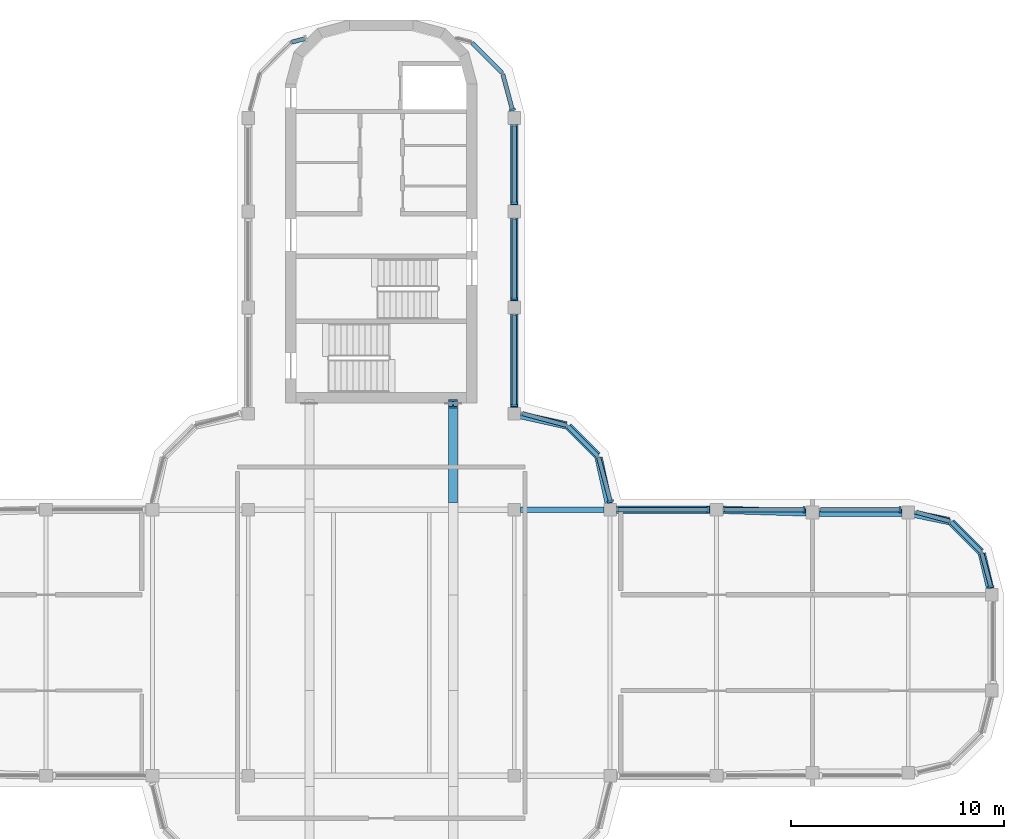
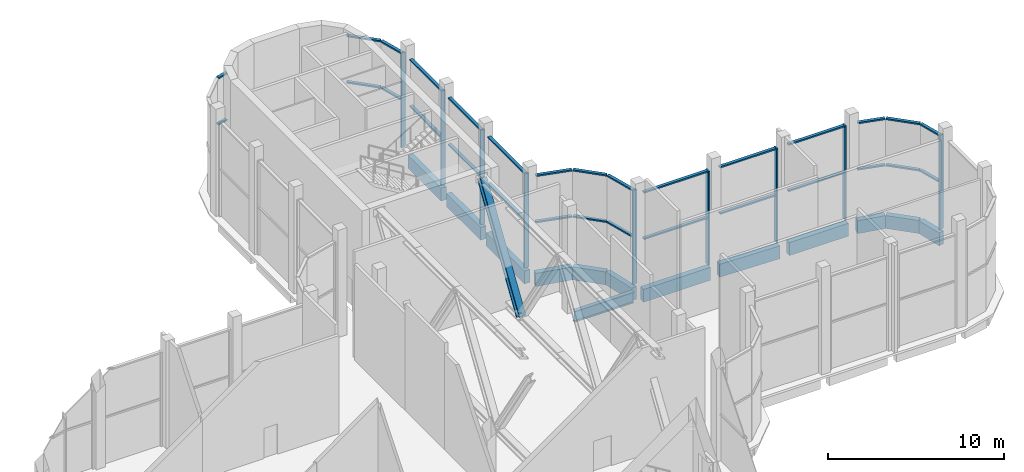
# One storey, part 6 of 15: 40 members, 13 beams, 11 elements without a shape of their own.
"""IFC4 building model written with IfcOpenShell, lengths in metres."""

from ifc_helpers import new_model, si_unit, direction, frame, origin, origin_2d, place, context, subcontext, project, spatial, polyline, rectangle, i_section, outline, extrude, source, transform, mapped, material, material_profile, profile_set, type_object, element, aggregate, save


model = new_model("IFC4")

# Units and contexts
model_context = context("Model", 3, precision=1e-05, world=origin(), true_north=direction((0.0, 1.0)))
body_context = subcontext(model_context, "Body", "Model", "MODEL_VIEW")
ifc_project = project(units=[si_unit("LENGTHUNIT", "METRE"), si_unit("AREAUNIT", "SQUARE_METRE"), si_unit("VOLUMEUNIT", "CUBIC_METRE"), si_unit("PLANEANGLEUNIT", "RADIAN"), si_unit("MASSUNIT", "GRAM", prefix="KILO")], contexts=[model_context])

# Site, building, storey
site_placement = place(None, origin())
site = spatial("IfcSite", under=ifc_project, at=site_placement, CompositionType="ELEMENT")
building_placement = place(site_placement, origin())
building = spatial("IfcBuilding", under=site, at=building_placement, Name="Zarbagh Exchange Tower", CompositionType="ELEMENT")
storey_placement = place(building_placement, frame((0.0, 0.0, 284.0)))
storey = spatial("IfcBuildingStorey", under=building, at=storey_placement, Name="L70", CompositionType="ELEMENT", Elevation=284.0)

# Beams
ifc_material_1 = material(Name="Steel ASTM A992 Gr 50", Category="steel")
ifc_material_profile_1 = material_profile(ifc_material_1, i_section(OverallWidth=0.26416015625, OverallDepth=0.749267578125, WebThickness=0.011962890625, FlangeThickness=0.015380859375, at=origin_2d()), Name="W30X90")
ifc_profile_set_1 = profile_set([ifc_material_profile_1], Name="Steel ASTM A992 Gr 50")
beam_type_1 = type_object("IfcBeamType", Name="Floor girder W30X90", PredefinedType="BEAM", material=ifc_profile_set_1)
beam_1_placement = place(storey_placement, frame((6.550048828125, 6.25, -0.524658203125), z_axis=(1.0, 0.0, 0.0), x_axis=(0.0, 1.0, 0.0)))
element("IfcBeam", 1, at=beam_1_placement, inside=storey, type_object=beam_type_1, Name="Steel girder", PredefinedType="BEAM", context=body_context, shape_type="SweptSolid", body=[
    extrude(i_section(OverallWidth=0.26416015625, OverallDepth=0.749267578125, WebThickness=0.011962890625, FlangeThickness=0.015380859375, at=origin_2d()), origin(), (0.0, 0.0, 1.0), 3.89990234375),
])
ifc_material_2 = material(Name="Concrete C40/50", Category="concrete")
ifc_material_profile_2 = material_profile(ifc_material_2, rectangle(XDim=0.35009765625, YDim=0.89990234375, at=origin_2d()), Name="RC spandrel beam 350 x 900 C40/50")
ifc_profile_set_2 = profile_set([ifc_material_profile_2], Name="Concrete C40/50")
beam_type_2 = type_object("IfcBeamType", Name="RC spandrel beam 350 x 900 C40/50", PredefinedType="SPANDREL", material=ifc_profile_set_2)
beam_2_placement = place(storey_placement, frame((6.25, 24.35009765625, -0.60009765625), z_axis=(0.0, -1.0, 0.0), x_axis=(1.0, 0.0, 0.0)))
element("IfcBeam", 2, at=beam_2_placement, inside=storey, type_object=beam_type_2, Name="RC spandrel beam", PredefinedType="SPANDREL", context=body_context, shape_type="SweptSolid", body=[
    extrude(rectangle(XDim=0.35009765625, YDim=0.89990234375, at=origin_2d()), origin(), (0.0, 0.0, 1.0), 3.800048828125),
])
beam_3_placement = place(storey_placement, frame((6.25, 19.949951171875, -0.60009765625), z_axis=(0.0, -1.0, 0.0), x_axis=(1.0, 0.0, 0.0)))
element("IfcBeam", 3, at=beam_3_placement, inside=storey, type_object=beam_type_2, Name="RC spandrel beam", PredefinedType="SPANDREL", context=body_context, shape_type="SweptSolid", body=[
    extrude(rectangle(XDim=0.35009765625, YDim=0.89990234375, at=origin_2d()), origin(), (0.0, 0.0, 1.0), 3.89990234375),
])
beam_4_placement = place(storey_placement, frame((6.25, 15.449951171875, -0.60009765625), z_axis=(0.0, -1.0, 0.0), x_axis=(1.0, 0.0, 0.0)))
element("IfcBeam", 4, at=beam_4_placement, inside=storey, type_object=beam_type_2, Name="RC spandrel beam", PredefinedType="SPANDREL", context=body_context, shape_type="SweptSolid", body=[
    extrude(rectangle(XDim=0.35009765625, YDim=0.89990234375, at=origin_2d()), origin(), (0.0, 0.0, 1.0), 4.39990234375),
])
beam_5_placement = place(storey_placement, frame((6.54296875, 10.685302734375, -0.60009765625), z_axis=(0.976387662047, -0.216025770228, 0.0), x_axis=(0.216025770228, 0.976387662047, 0.0)))
element("IfcBeam", 5, at=beam_5_placement, inside=storey, type_object=beam_type_2, Name="RC spandrel beam", PredefinedType="SPANDREL", context=body_context, shape_type="SweptSolid", body=[
    extrude(rectangle(XDim=0.35009765625, YDim=0.89990234375, at=origin_2d()), origin(), (0.0, 0.0, 1.0), 2.200439453125),
])
beam_6_placement = place(storey_placement, frame((8.77734375, 10.16259765625, -0.60009765625), z_axis=(0.707106781187, -0.707106781187, 0.0), x_axis=(0.707106781187, 0.707106781187, 0.0)))
element("IfcBeam", 6, at=beam_6_placement, inside=storey, type_object=beam_type_2, Name="RC spandrel beam", PredefinedType="SPANDREL", context=body_context, shape_type="SweptSolid", body=[
    extrude(rectangle(XDim=0.35009765625, YDim=0.89990234375, at=origin_2d()), origin(), (0.0, 0.0, 1.0), 1.958984375),
])
beam_7_placement = place(storey_placement, frame((10.2099609375, 8.69140625, -0.60009765625), z_axis=(0.216025770228, -0.976387662047, 0.0), x_axis=(0.976387662047, 0.216025770228, 0.0)))
element("IfcBeam", 7, at=beam_7_placement, inside=storey, type_object=beam_type_2, Name="RC spandrel beam", PredefinedType="SPANDREL", context=body_context, shape_type="SweptSolid", body=[
    extrude(rectangle(XDim=0.35009765625, YDim=0.89990234375, at=origin_2d()), origin(), (0.0, 0.0, 1.0), 2.200439453125),
])
beam_8_placement = place(storey_placement, frame((11.050048828125, 6.25, -0.60009765625), z_axis=(1.0, 0.0, 0.0), x_axis=(0.0, 1.0, 0.0)))
element("IfcBeam", 8, at=beam_8_placement, inside=storey, type_object=beam_type_2, Name="RC spandrel beam", PredefinedType="SPANDREL", context=body_context, shape_type="SweptSolid", body=[
    extrude(rectangle(XDim=0.35009765625, YDim=0.89990234375, at=origin_2d()), origin(), (0.0, 0.0, 1.0), 4.39990234375),
])
beam_9_placement = place(storey_placement, frame((16.0498046875, 6.24072265625, -0.60009765625), z_axis=(0.999516460907, -0.031094121249, 0.0), x_axis=(0.031094121249, 0.999516460907, 0.0)))
element("IfcBeam", 9, at=beam_9_placement, inside=storey, type_object=beam_type_2, Name="RC spandrel beam", PredefinedType="SPANDREL", context=body_context, shape_type="SweptSolid", body=[
    extrude(rectangle(XDim=0.35009765625, YDim=0.89990234375, at=origin_2d()), origin(), (0.0, 0.0, 1.0), 3.90234375),
])
beam_10_placement = place(storey_placement, frame((20.550048828125, 6.110107421875, -0.60009765625), z_axis=(1.0, 0.0, 0.0), x_axis=(0.0, 1.0, 0.0)))
element("IfcBeam", 10, at=beam_10_placement, inside=storey, type_object=beam_type_2, Name="RC spandrel beam", PredefinedType="SPANDREL", context=body_context, shape_type="SweptSolid", body=[
    extrude(rectangle(XDim=0.35009765625, YDim=0.89990234375, at=origin_2d()), origin(), (0.0, 0.0, 1.0), 3.89990234375),
])
beam_11_placement = place(storey_placement, frame((25.043701171875, 6.04931640625, -0.60009765625), z_axis=(0.979349753205, -0.202173343684, 0.0), x_axis=(0.202173343684, 0.979349753205, 0.0)))
element("IfcBeam", 11, at=beam_11_placement, inside=storey, type_object=beam_type_2, Name="RC spandrel beam", PredefinedType="SPANDREL", context=body_context, shape_type="SweptSolid", body=[
    extrude(rectangle(XDim=0.35009765625, YDim=0.89990234375, at=origin_2d()), origin(), (0.0, 0.0, 1.0), 1.680908203125),
])
beam_12_placement = place(storey_placement, frame((26.7783203125, 5.661865234375, -0.60009765625), z_axis=(0.707106781187, -0.707106781187, 0.0), x_axis=(0.707106781187, 0.707106781187, 0.0)))
element("IfcBeam", 12, at=beam_12_placement, inside=storey, type_object=beam_type_2, Name="RC spandrel beam", PredefinedType="SPANDREL", context=body_context, shape_type="SweptSolid", body=[
    extrude(rectangle(XDim=0.35009765625, YDim=0.89990234375, at=origin_2d()), origin(), (0.0, 0.0, 1.0), 1.95947265625),
])
beam_13_placement = place(storey_placement, frame((28.210205078125, 4.19287109375, -0.60009765625), z_axis=(0.230258391117, -0.973129525459, 0.0), x_axis=(0.973129525459, 0.230258391117, 0.0)))
element("IfcBeam", 13, at=beam_13_placement, inside=storey, type_object=beam_type_2, Name="RC spandrel beam", PredefinedType="SPANDREL", context=body_context, shape_type="SweptSolid", body=[
    extrude(rectangle(XDim=0.35009765625, YDim=0.89990234375, at=origin_2d()), origin(), (0.0, 0.0, 1.0), 1.696533203125),
])

# Member
ifc_material_profile_3 = material_profile(ifc_material_1, i_section(OverallWidth=0.421630859375, OverallDepth=0.46484375, WebThickness=0.044921875, FlangeThickness=0.072509765625, at=origin_2d()), Name="W14X398")
ifc_profile_set_3 = profile_set([ifc_material_profile_3], Name="Steel ASTM A992 Gr 50")
member_type_1 = type_object("IfcMemberType", Name="Tuned mass damper support truss diagonal W14X398", PredefinedType="BRACE", material=ifc_profile_set_3)
member_1_placement = place(storey_placement, frame((3.375, 6.75, 0.256591796875), z_axis=(0.0, 0.541654417489, 0.840601268149), x_axis=(-1.0, 0.0, 0.0)))
element("IfcMember", 14, at=member_1_placement, inside=storey, type_object=member_type_1, Name="Tuned mass damper support truss diagonal", PredefinedType="BRACE", context=body_context, shape_type="SweptSolid", body=[
    extrude(i_section(OverallWidth=0.421630859375, OverallDepth=0.46484375, WebThickness=0.044921875, FlangeThickness=0.072509765625, at=origin_2d()), origin(), (0.0, 0.0, 1.0), 8.25244140625),
])

# Curtain wall, member
ifc_material_3 = material(Name="Anodised aluminium frame and glazing", Category="aluminium")
curtain_wall_type = type_object("IfcCurtainWallType", Name="CWE Damper-floor glazed wall", PredefinedType="NOTDEFINED", material=ifc_material_3)
curtain_wall_1_placement = place(storey_placement, origin())
curtain_wall_1 = element("IfcCurtainWall", 15, at=curtain_wall_1_placement, inside=storey, type_object=curtain_wall_type, Name="CWE13 curtain wall", PredefinedType="NOTDEFINED")
ifc_material_4 = material(Name="Anodised aluminium frame", Category="aluminium")
member_type_2 = type_object("IfcMemberType", Name="MUE Mullion, anodised aluminium frame", PredefinedType="MULLION", material=ifc_material_4)
shared_shape_1 = source(origin(), body_context, "Body", "SweptSolid", [
    extrude(outline(polyline([(0.0, -0.14990234375), (0.10009765625, -0.14990234375), (0.10009765625, 0.14990234375), (0.0, 0.14990234375), (0.0, -0.14990234375)])), origin(), (0.0, 0.0, 1.0), 6.550048828125),
])
placement = place(storey_placement, origin())
member_2 = element("IfcMember", 16, at=placement, type_object=member_type_2, Name="CWE13 mullion 1.1", PredefinedType="MULLION", context=body_context, shape_type="MappedRepresentation", body=[
    mapped(shared_shape_1, transform((28.641357421875, 2.58984375, 0.0), x_axis=(-0.258824779902, 0.965924289636, 0.0), y_axis=(-0.965924289636, -0.258824779902, 0.0), z_axis=(0.0, 0.0, 1.0))),
])

# Curtain wall, members
curtain_wall_2_placement = place(storey_placement, origin())
curtain_wall_2 = element("IfcCurtainWall", 17, at=curtain_wall_2_placement, inside=storey, type_object=curtain_wall_type, Name="CWE16 curtain wall", PredefinedType="NOTDEFINED")
member_3 = element("IfcMember", 18, at=placement, type_object=member_type_2, Name="CWE16 mullion 1.1", PredefinedType="MULLION", context=body_context, shape_type="MappedRepresentation", body=[
    mapped(shared_shape_1, transform((24.409912109375, 6.25, 0.0), x_axis=(-1.0, 0.0, 0.0), y_axis=(0.0, -1.0, 0.0), z_axis=(0.0, 0.0, 1.0))),
])
member_4 = element("IfcMember", 19, at=placement, type_object=member_type_2, Name="CWE16 mullion 2.1", PredefinedType="MULLION", context=body_context, shape_type="MappedRepresentation", body=[
    mapped(shared_shape_1, transform((19.909912109375, 6.25, 0.0), x_axis=(-1.0, 0.0, 0.0), y_axis=(0.0, -1.0, 0.0), z_axis=(0.0, 0.0, 1.0))),
])
member_5 = element("IfcMember", 20, at=placement, type_object=member_type_2, Name="CWE16 mullion 3.1", PredefinedType="MULLION", context=body_context, shape_type="MappedRepresentation", body=[
    mapped(shared_shape_1, transform((15.409912109375, 6.25, 0.0), x_axis=(-1.0, 0.0, 0.0), y_axis=(0.0, -1.0, 0.0), z_axis=(0.0, 0.0, 1.0))),
])

# Curtain wall, member
curtain_wall_3_placement = place(storey_placement, origin())
curtain_wall_3 = element("IfcCurtainWall", 21, at=curtain_wall_3_placement, inside=storey, type_object=curtain_wall_type, Name="CWE17 curtain wall", PredefinedType="NOTDEFINED")
member_6 = element("IfcMember", 22, at=placement, type_object=member_type_2, Name="CWE17 mullion 1.1", PredefinedType="MULLION", context=body_context, shape_type="MappedRepresentation", body=[
    mapped(shared_shape_1, transform((10.775146484375, 6.590087890625, 0.0), x_axis=(-0.258824779902, 0.965924289636, 0.0), y_axis=(-0.965924289636, -0.258824779902, 0.0), z_axis=(0.0, 0.0, 1.0))),
])

# Curtain wall, members
curtain_wall_4_placement = place(storey_placement, origin())
curtain_wall_4 = element("IfcCurtainWall", 23, at=curtain_wall_4_placement, inside=storey, type_object=curtain_wall_type, Name="CWE20 curtain wall", PredefinedType="NOTDEFINED")
member_7 = element("IfcMember", 24, at=placement, type_object=member_type_2, Name="CWE20 mullion 1.1", PredefinedType="MULLION", context=body_context, shape_type="MappedRepresentation", body=[
    mapped(shared_shape_1, transform((6.25, 11.090087890625, 0.0), x_axis=(0.0, 1.0, 0.0), y_axis=(-1.0, 0.0, 0.0), z_axis=(0.0, 0.0, 1.0))),
])
member_8 = element("IfcMember", 25, at=placement, type_object=member_type_2, Name="CWE20 mullion 2.1", PredefinedType="MULLION", context=body_context, shape_type="MappedRepresentation", body=[
    mapped(shared_shape_1, transform((6.25, 16.090087890625, 0.0), x_axis=(0.0, 1.0, 0.0), y_axis=(-1.0, 0.0, 0.0), z_axis=(0.0, 0.0, 1.0))),
])
member_9 = element("IfcMember", 26, at=placement, type_object=member_type_2, Name="CWE20 mullion 3.1", PredefinedType="MULLION", context=body_context, shape_type="MappedRepresentation", body=[
    mapped(shared_shape_1, transform((6.25, 20.590087890625, 0.0), x_axis=(0.0, 1.0, 0.0), y_axis=(-1.0, 0.0, 0.0), z_axis=(0.0, 0.0, 1.0))),
])

# Curtain wall, member
curtain_wall_5_placement = place(storey_placement, origin())
curtain_wall_5 = element("IfcCurtainWall", 27, at=curtain_wall_5_placement, inside=storey, type_object=curtain_wall_type, Name="CWE21 curtain wall", PredefinedType="NOTDEFINED")
member_10 = element("IfcMember", 28, at=placement, type_object=member_type_2, Name="CWE21 mullion 1.1", PredefinedType="MULLION", context=body_context, shape_type="MappedRepresentation", body=[
    mapped(shared_shape_1, transform((6.16796875, 24.989990234375, 0.0), x_axis=(-0.258824779902, 0.965924289636, 0.0), y_axis=(-0.965924289636, -0.258824779902, 0.0), z_axis=(0.0, 0.0, 1.0))),
])

curtain_wall_6_placement = place(storey_placement, origin())
curtain_wall_6 = element("IfcCurtainWall", 29, at=curtain_wall_6_placement, inside=storey, type_object=curtain_wall_type, Name="CWE14 curtain wall", PredefinedType="NOTDEFINED")
member_type_3 = type_object("IfcMemberType", Name="TRE Transom, anodised aluminium frame", PredefinedType="USERDEFINED", material=ifc_material_4)
shared_shape_2 = source(origin(), body_context, "Body", "SweptSolid", [
    extrude(outline(polyline([(-0.10009765625, -0.10009765625), (0.0, -0.10009765625), (0.0, 0.10009765625), (-0.10009765625, 0.10009765625), (-0.10009765625, -0.10009765625)])), origin(), (0.0, 0.0, 1.0), 1.9814453125),
])
member_11 = element("IfcMember", 30, at=placement, type_object=member_type_3, Name="CWE14 transom 1.1", ObjectType="TRANSOM", PredefinedType="USERDEFINED", context=body_context, shape_type="MappedRepresentation", body=[
    mapped(shared_shape_2, transform((28.17041015625, 4.26953125, 6.550048828125), x_axis=(0.0, 0.0, 1.0), y_axis=(0.707106781187, 0.707106781187, 0.0), z_axis=(-0.707106781187, 0.707106781187, 0.0))),
])

curtain_wall_7_placement = place(storey_placement, origin())
curtain_wall_7 = element("IfcCurtainWall", 31, at=curtain_wall_7_placement, inside=storey, type_object=curtain_wall_type, Name="CWE18 curtain wall", PredefinedType="NOTDEFINED")
member_12 = element("IfcMember", 32, at=placement, type_object=member_type_3, Name="CWE18 transom 1.1", ObjectType="TRANSOM", PredefinedType="USERDEFINED", context=body_context, shape_type="MappedRepresentation", body=[
    mapped(shared_shape_2, transform((10.17041015625, 8.76953125, 6.550048828125), x_axis=(0.0, 0.0, 1.0), y_axis=(0.707106781187, 0.707106781187, 0.0), z_axis=(-0.707106781187, 0.707106781187, 0.0))),
])

curtain_wall_8_placement = place(storey_placement, origin())
curtain_wall_8 = element("IfcCurtainWall", 33, at=curtain_wall_8_placement, inside=storey, type_object=curtain_wall_type, Name="CWE22 curtain wall", PredefinedType="NOTDEFINED")
member_13 = element("IfcMember", 34, at=placement, type_object=member_type_3, Name="CWE22 transom 1.1", ObjectType="TRANSOM", PredefinedType="USERDEFINED", context=body_context, shape_type="MappedRepresentation", body=[
    mapped(shared_shape_2, transform((5.67041015625, 26.76953125, 6.550048828125), x_axis=(0.0, 0.0, 1.0), y_axis=(0.707106781187, 0.707106781187, 0.0), z_axis=(-0.707106781187, 0.707106781187, 0.0))),
])

# Member
shared_shape_3 = source(origin(), body_context, "Body", "SweptSolid", [
    extrude(outline(polyline([(-0.050048828125, -0.10009765625), (0.050048828125, -0.10009765625), (0.050048828125, 0.10009765625), (-0.050048828125, 0.10009765625), (-0.050048828125, -0.10009765625)])), origin(), (0.0, 0.0, 1.0), 1.9814453125),
])
member_14 = element("IfcMember", 35, at=placement, type_object=member_type_3, Name="CWE14 mid transom 1", ObjectType="TRANSOM", PredefinedType="USERDEFINED", context=body_context, shape_type="MappedRepresentation", body=[
    mapped(shared_shape_3, transform((28.17041015625, 4.26953125, 3.27490234375), x_axis=(0.0, 0.0, 1.0), y_axis=(0.707106781187, 0.707106781187, 0.0), z_axis=(-0.707106781187, 0.707106781187, 0.0))),
])

aggregate(curtain_wall_6, [member_11, member_14])

member_15 = element("IfcMember", 36, at=placement, type_object=member_type_3, Name="CWE18 mid transom 1", ObjectType="TRANSOM", PredefinedType="USERDEFINED", context=body_context, shape_type="MappedRepresentation", body=[
    mapped(shared_shape_3, transform((10.17041015625, 8.76953125, 3.27490234375), x_axis=(0.0, 0.0, 1.0), y_axis=(0.707106781187, 0.707106781187, 0.0), z_axis=(-0.707106781187, 0.707106781187, 0.0))),
])

aggregate(curtain_wall_7, [member_12, member_15])

member_16 = element("IfcMember", 37, at=placement, type_object=member_type_3, Name="CWE22 mid transom 1", ObjectType="TRANSOM", PredefinedType="USERDEFINED", context=body_context, shape_type="MappedRepresentation", body=[
    mapped(shared_shape_3, transform((5.67041015625, 26.76953125, 3.27490234375), x_axis=(0.0, 0.0, 1.0), y_axis=(0.707106781187, 0.707106781187, 0.0), z_axis=(-0.707106781187, 0.707106781187, 0.0))),
])

aggregate(curtain_wall_8, [member_13, member_16])

shared_shape_4 = source(origin(), body_context, "Body", "SweptSolid", [
    extrude(outline(polyline([(-0.10009765625, -0.10009765625), (0.0, -0.10009765625), (0.0, 0.10009765625), (-0.10009765625, 0.10009765625), (-0.10009765625, -0.10009765625)])), origin(), (0.0, 0.0, 1.0), 1.73291015625),
])
member_17 = element("IfcMember", 38, at=placement, type_object=member_type_3, Name="CWE21 transom 1.1", ObjectType="TRANSOM", PredefinedType="USERDEFINED", context=body_context, shape_type="MappedRepresentation", body=[
    mapped(shared_shape_4, transform((6.15771484375, 25.028564453125, 6.550048828125), x_axis=(0.0, 0.0, 1.0), y_axis=(0.965924289636, 0.258824779902, 0.0), z_axis=(-0.258824779902, 0.965924289636, 0.0))),
])

shared_shape_5 = source(origin(), body_context, "Body", "SweptSolid", [
    extrude(outline(polyline([(-0.050048828125, -0.10009765625), (0.050048828125, -0.10009765625), (0.050048828125, 0.10009765625), (-0.050048828125, 0.10009765625), (-0.050048828125, -0.10009765625)])), origin(), (0.0, 0.0, 1.0), 1.73291015625),
])
member_18 = element("IfcMember", 39, at=placement, type_object=member_type_3, Name="CWE21 mid transom 1", ObjectType="TRANSOM", PredefinedType="USERDEFINED", context=body_context, shape_type="MappedRepresentation", body=[
    mapped(shared_shape_5, transform((6.15771484375, 25.028564453125, 3.27490234375), x_axis=(0.0, 0.0, 1.0), y_axis=(0.965924289636, 0.258824779902, 0.0), z_axis=(-0.258824779902, 0.965924289636, 0.0))),
])

aggregate(curtain_wall_5, [member_10, member_17, member_18])

shared_shape_6 = source(origin(), body_context, "Body", "SweptSolid", [
    extrude(outline(polyline([(-0.10009765625, -0.10009765625), (0.0, -0.10009765625), (0.0, 0.10009765625), (-0.10009765625, 0.10009765625), (-0.10009765625, -0.10009765625)])), origin(), (0.0, 0.0, 1.0), 3.639892578125),
])
member_19 = element("IfcMember", 40, at=placement, type_object=member_type_3, Name="CWE20 transom 3.1", ObjectType="TRANSOM", PredefinedType="USERDEFINED", context=body_context, shape_type="MappedRepresentation", body=[
    mapped(shared_shape_6, transform((6.25, 20.630126953125, 6.550048828125), x_axis=(0.0, 0.0, 1.0), y_axis=(1.0, 0.0, 0.0), z_axis=(0.0, 1.0, 0.0))),
])

shared_shape_7 = source(origin(), body_context, "Body", "SweptSolid", [
    extrude(outline(polyline([(-0.050048828125, -0.10009765625), (0.050048828125, -0.10009765625), (0.050048828125, 0.10009765625), (-0.050048828125, 0.10009765625), (-0.050048828125, -0.10009765625)])), origin(), (0.0, 0.0, 1.0), 3.639892578125),
])
member_20 = element("IfcMember", 41, at=placement, type_object=member_type_3, Name="CWE20 mid transom 3", ObjectType="TRANSOM", PredefinedType="USERDEFINED", context=body_context, shape_type="MappedRepresentation", body=[
    mapped(shared_shape_7, transform((6.25, 20.630126953125, 3.27490234375), x_axis=(0.0, 0.0, 1.0), y_axis=(1.0, 0.0, 0.0), z_axis=(0.0, 1.0, 0.0))),
])

shared_shape_8 = source(origin(), body_context, "Body", "SweptSolid", [
    extrude(outline(polyline([(-0.10009765625, -0.10009765625), (0.0, -0.10009765625), (0.0, 0.10009765625), (-0.10009765625, 0.10009765625), (-0.10009765625, -0.10009765625)])), origin(), (0.0, 0.0, 1.0), 3.739990234375),
])
member_21 = element("IfcMember", 42, at=placement, type_object=member_type_3, Name="CWE16 transom 1.1", ObjectType="TRANSOM", PredefinedType="USERDEFINED", context=body_context, shape_type="MappedRepresentation", body=[
    mapped(shared_shape_8, transform((24.369873046875, 6.25, 6.550048828125), x_axis=(0.0, 0.0, 1.0), y_axis=(0.0, 1.0, 0.0), z_axis=(-1.0, 0.0, 0.0))),
])

member_22 = element("IfcMember", 43, at=placement, type_object=member_type_3, Name="CWE16 transom 2.1", ObjectType="TRANSOM", PredefinedType="USERDEFINED", context=body_context, shape_type="MappedRepresentation", body=[
    mapped(shared_shape_8, transform((19.869873046875, 6.25, 6.550048828125), x_axis=(0.0, 0.0, 1.0), y_axis=(0.0, 1.0, 0.0), z_axis=(-1.0, 0.0, 0.0))),
])

member_23 = element("IfcMember", 44, at=placement, type_object=member_type_3, Name="CWE20 transom 2.1", ObjectType="TRANSOM", PredefinedType="USERDEFINED", context=body_context, shape_type="MappedRepresentation", body=[
    mapped(shared_shape_8, transform((6.25, 16.130126953125, 6.550048828125), x_axis=(0.0, 0.0, 1.0), y_axis=(1.0, 0.0, 0.0), z_axis=(0.0, 1.0, 0.0))),
])

shared_shape_9 = source(origin(), body_context, "Body", "SweptSolid", [
    extrude(outline(polyline([(-0.050048828125, -0.10009765625), (0.050048828125, -0.10009765625), (0.050048828125, 0.10009765625), (-0.050048828125, 0.10009765625), (-0.050048828125, -0.10009765625)])), origin(), (0.0, 0.0, 1.0), 3.739990234375),
])
member_24 = element("IfcMember", 45, at=placement, type_object=member_type_3, Name="CWE16 mid transom 1", ObjectType="TRANSOM", PredefinedType="USERDEFINED", context=body_context, shape_type="MappedRepresentation", body=[
    mapped(shared_shape_9, transform((24.369873046875, 6.25, 3.27490234375), x_axis=(0.0, 0.0, 1.0), y_axis=(0.0, 1.0, 0.0), z_axis=(-1.0, 0.0, 0.0))),
])

member_25 = element("IfcMember", 46, at=placement, type_object=member_type_3, Name="CWE16 mid transom 2", ObjectType="TRANSOM", PredefinedType="USERDEFINED", context=body_context, shape_type="MappedRepresentation", body=[
    mapped(shared_shape_9, transform((19.869873046875, 6.25, 3.27490234375), x_axis=(0.0, 0.0, 1.0), y_axis=(0.0, 1.0, 0.0), z_axis=(-1.0, 0.0, 0.0))),
])

member_26 = element("IfcMember", 47, at=placement, type_object=member_type_3, Name="CWE20 mid transom 2", ObjectType="TRANSOM", PredefinedType="USERDEFINED", context=body_context, shape_type="MappedRepresentation", body=[
    mapped(shared_shape_9, transform((6.25, 16.130126953125, 3.27490234375), x_axis=(0.0, 0.0, 1.0), y_axis=(1.0, 0.0, 0.0), z_axis=(0.0, 1.0, 0.0))),
])

shared_shape_10 = source(origin(), body_context, "Body", "SweptSolid", [
    extrude(outline(polyline([(-0.10009765625, -0.10009765625), (0.0, -0.10009765625), (0.0, 0.10009765625), (-0.10009765625, 0.10009765625), (-0.10009765625, -0.10009765625)])), origin(), (0.0, 0.0, 1.0), 4.239990234375),
])
member_27 = element("IfcMember", 48, at=placement, type_object=member_type_3, Name="CWE16 transom 3.1", ObjectType="TRANSOM", PredefinedType="USERDEFINED", context=body_context, shape_type="MappedRepresentation", body=[
    mapped(shared_shape_10, transform((15.369873046875, 6.25, 6.550048828125), x_axis=(0.0, 0.0, 1.0), y_axis=(0.0, 1.0, 0.0), z_axis=(-1.0, 0.0, 0.0))),
])

member_28 = element("IfcMember", 49, at=placement, type_object=member_type_3, Name="CWE20 transom 1.1", ObjectType="TRANSOM", PredefinedType="USERDEFINED", context=body_context, shape_type="MappedRepresentation", body=[
    mapped(shared_shape_10, transform((6.25, 11.130126953125, 6.550048828125), x_axis=(0.0, 0.0, 1.0), y_axis=(1.0, 0.0, 0.0), z_axis=(0.0, 1.0, 0.0))),
])

shared_shape_11 = source(origin(), body_context, "Body", "SweptSolid", [
    extrude(outline(polyline([(-0.050048828125, -0.10009765625), (0.050048828125, -0.10009765625), (0.050048828125, 0.10009765625), (-0.050048828125, 0.10009765625), (-0.050048828125, -0.10009765625)])), origin(), (0.0, 0.0, 1.0), 4.239990234375),
])
member_29 = element("IfcMember", 50, at=placement, type_object=member_type_3, Name="CWE16 mid transom 3", ObjectType="TRANSOM", PredefinedType="USERDEFINED", context=body_context, shape_type="MappedRepresentation", body=[
    mapped(shared_shape_11, transform((15.369873046875, 6.25, 3.27490234375), x_axis=(0.0, 0.0, 1.0), y_axis=(0.0, 1.0, 0.0), z_axis=(-1.0, 0.0, 0.0))),
])

aggregate(curtain_wall_2, [member_3, member_21, member_24, member_4, member_22, member_25, member_5, member_27, member_29])

member_30 = element("IfcMember", 51, at=placement, type_object=member_type_3, Name="CWE20 mid transom 1", ObjectType="TRANSOM", PredefinedType="USERDEFINED", context=body_context, shape_type="MappedRepresentation", body=[
    mapped(shared_shape_11, transform((6.25, 11.130126953125, 3.27490234375), x_axis=(0.0, 0.0, 1.0), y_axis=(1.0, 0.0, 0.0), z_axis=(0.0, 1.0, 0.0))),
])

aggregate(curtain_wall_4, [member_7, member_28, member_30, member_8, member_23, member_26, member_9, member_19, member_20])

shared_shape_12 = source(origin(), body_context, "Body", "SweptSolid", [
    extrude(outline(polyline([(-0.10009765625, -0.10009765625), (0.0, -0.10009765625), (0.0, 0.10009765625), (-0.10009765625, 0.10009765625), (-0.10009765625, -0.10009765625)])), origin(), (0.0, 0.0, 1.0), 2.147216796875),
])
member_31 = element("IfcMember", 52, at=placement, type_object=member_type_3, Name="CWE17 transom 1.1", ObjectType="TRANSOM", PredefinedType="USERDEFINED", context=body_context, shape_type="MappedRepresentation", body=[
    mapped(shared_shape_12, transform((10.764892578125, 6.628662109375, 6.550048828125), x_axis=(0.0, 0.0, 1.0), y_axis=(0.965924289636, 0.258824779902, 0.0), z_axis=(-0.258824779902, 0.965924289636, 0.0))),
])

# Curtain wall, member
curtain_wall_9_placement = place(storey_placement, origin())
curtain_wall_9 = element("IfcCurtainWall", 53, at=curtain_wall_9_placement, inside=storey, type_object=curtain_wall_type, Name="CWE19 curtain wall", PredefinedType="NOTDEFINED")
member_32 = element("IfcMember", 54, at=placement, type_object=member_type_3, Name="CWE19 transom 1.1", ObjectType="TRANSOM", PredefinedType="USERDEFINED", context=body_context, shape_type="MappedRepresentation", body=[
    mapped(shared_shape_12, transform((8.70263671875, 10.209228515625, 6.550048828125), x_axis=(0.0, 0.0, 1.0), y_axis=(0.258824779902, 0.965924289636, 0.0), z_axis=(-0.965924289636, 0.258824779902, 0.0))),
])

# Member
shared_shape_13 = source(origin(), body_context, "Body", "SweptSolid", [
    extrude(outline(polyline([(-0.050048828125, -0.10009765625), (0.050048828125, -0.10009765625), (0.050048828125, 0.10009765625), (-0.050048828125, 0.10009765625), (-0.050048828125, -0.10009765625)])), origin(), (0.0, 0.0, 1.0), 2.147216796875),
])
member_33 = element("IfcMember", 55, at=placement, type_object=member_type_3, Name="CWE17 mid transom 1", ObjectType="TRANSOM", PredefinedType="USERDEFINED", context=body_context, shape_type="MappedRepresentation", body=[
    mapped(shared_shape_13, transform((10.764892578125, 6.628662109375, 3.27490234375), x_axis=(0.0, 0.0, 1.0), y_axis=(0.965924289636, 0.258824779902, 0.0), z_axis=(-0.258824779902, 0.965924289636, 0.0))),
])

aggregate(curtain_wall_3, [member_6, member_31, member_33])

member_34 = element("IfcMember", 56, at=placement, type_object=member_type_3, Name="CWE19 mid transom 1", ObjectType="TRANSOM", PredefinedType="USERDEFINED", context=body_context, shape_type="MappedRepresentation", body=[
    mapped(shared_shape_13, transform((8.70263671875, 10.209228515625, 3.27490234375), x_axis=(0.0, 0.0, 1.0), y_axis=(0.258824779902, 0.965924289636, 0.0), z_axis=(-0.965924289636, 0.258824779902, 0.0))),
])

aggregate(curtain_wall_9, [member_32, member_34])

shared_shape_14 = source(origin(), body_context, "Body", "SweptSolid", [
    extrude(outline(polyline([(-0.10009765625, -0.10009765625), (0.0, -0.10009765625), (0.0, 0.10009765625), (-0.10009765625, 0.10009765625), (-0.10009765625, -0.10009765625)])), origin(), (0.0, 0.0, 1.0), 1.62939453125),
])
member_35 = element("IfcMember", 57, at=placement, type_object=member_type_3, Name="CWE13 transom 1.1", ObjectType="TRANSOM", PredefinedType="USERDEFINED", context=body_context, shape_type="MappedRepresentation", body=[
    mapped(shared_shape_14, transform((28.630859375, 2.628662109375, 6.550048828125), x_axis=(0.0, 0.0, 1.0), y_axis=(0.965924289636, 0.258824779902, 0.0), z_axis=(-0.258824779902, 0.965924289636, 0.0))),
])

# Curtain wall, member
curtain_wall_10_placement = place(storey_placement, origin())
curtain_wall_10 = element("IfcCurtainWall", 58, at=curtain_wall_10_placement, inside=storey, type_object=curtain_wall_type, Name="CWE15 curtain wall", PredefinedType="NOTDEFINED")
member_36 = element("IfcMember", 59, at=placement, type_object=member_type_3, Name="CWE15 transom 1.1", ObjectType="TRANSOM", PredefinedType="USERDEFINED", context=body_context, shape_type="MappedRepresentation", body=[
    mapped(shared_shape_14, transform((26.70263671875, 5.709228515625, 6.550048828125), x_axis=(0.0, 0.0, 1.0), y_axis=(0.258824779902, 0.965924289636, 0.0), z_axis=(-0.965924289636, 0.258824779902, 0.0))),
])

# Member
shared_shape_15 = source(origin(), body_context, "Body", "SweptSolid", [
    extrude(outline(polyline([(-0.050048828125, -0.10009765625), (0.050048828125, -0.10009765625), (0.050048828125, 0.10009765625), (-0.050048828125, 0.10009765625), (-0.050048828125, -0.10009765625)])), origin(), (0.0, 0.0, 1.0), 1.62939453125),
])
member_37 = element("IfcMember", 60, at=placement, type_object=member_type_3, Name="CWE13 mid transom 1", ObjectType="TRANSOM", PredefinedType="USERDEFINED", context=body_context, shape_type="MappedRepresentation", body=[
    mapped(shared_shape_15, transform((28.630859375, 2.628662109375, 3.27490234375), x_axis=(0.0, 0.0, 1.0), y_axis=(0.965924289636, 0.258824779902, 0.0), z_axis=(-0.258824779902, 0.965924289636, 0.0))),
])

aggregate(curtain_wall_1, [member_2, member_35, member_37])

member_38 = element("IfcMember", 61, at=placement, type_object=member_type_3, Name="CWE15 mid transom 1", ObjectType="TRANSOM", PredefinedType="USERDEFINED", context=body_context, shape_type="MappedRepresentation", body=[
    mapped(shared_shape_15, transform((26.70263671875, 5.709228515625, 3.27490234375), x_axis=(0.0, 0.0, 1.0), y_axis=(0.258824779902, 0.965924289636, 0.0), z_axis=(-0.965924289636, 0.258824779902, 0.0))),
])

aggregate(curtain_wall_10, [member_36, member_38])

# Curtain wall, members
curtain_wall_11_placement = place(storey_placement, origin())
curtain_wall_11 = element("IfcCurtainWall", 62, at=curtain_wall_11_placement, inside=storey, type_object=curtain_wall_type, Name="CWE24 curtain wall", PredefinedType="NOTDEFINED")
shared_shape_16 = source(origin(), body_context, "Body", "SweptSolid", [
    extrude(outline(polyline([(-0.10009765625, -0.10009765625), (0.0, -0.10009765625), (0.0, 0.10009765625), (-0.10009765625, 0.10009765625), (-0.10009765625, -0.10009765625)])), origin(), (0.0, 0.0, 1.0), 0.677001953125),
])
member_39 = element("IfcMember", 63, at=placement, type_object=member_type_3, Name="CWE24 transom 1.1", ObjectType="TRANSOM", PredefinedType="USERDEFINED", context=body_context, shape_type="MappedRepresentation", body=[
    mapped(shared_shape_16, transform((-3.548583984375, 28.384521484375, 6.550048828125), x_axis=(0.0, 0.0, 1.0), y_axis=(-0.258824779902, 0.965924289636, 0.0), z_axis=(-0.965924289636, -0.258824779902, 0.0))),
])
shared_shape_17 = source(origin(), body_context, "Body", "SweptSolid", [
    extrude(outline(polyline([(-0.050048828125, -0.10009765625), (0.050048828125, -0.10009765625), (0.050048828125, 0.10009765625), (-0.050048828125, 0.10009765625), (-0.050048828125, -0.10009765625)])), origin(), (0.0, 0.0, 1.0), 0.677001953125),
])
member_40 = element("IfcMember", 64, at=placement, type_object=member_type_3, Name="CWE24 mid transom 1", ObjectType="TRANSOM", PredefinedType="USERDEFINED", context=body_context, shape_type="MappedRepresentation", body=[
    mapped(shared_shape_17, transform((-3.548583984375, 28.384521484375, 3.27490234375), x_axis=(0.0, 0.0, 1.0), y_axis=(-0.258824779902, 0.965924289636, 0.0), z_axis=(-0.965924289636, -0.258824779902, 0.0))),
])
aggregate(curtain_wall_11, [member_39, member_40])

save(model, "model.ifc")
